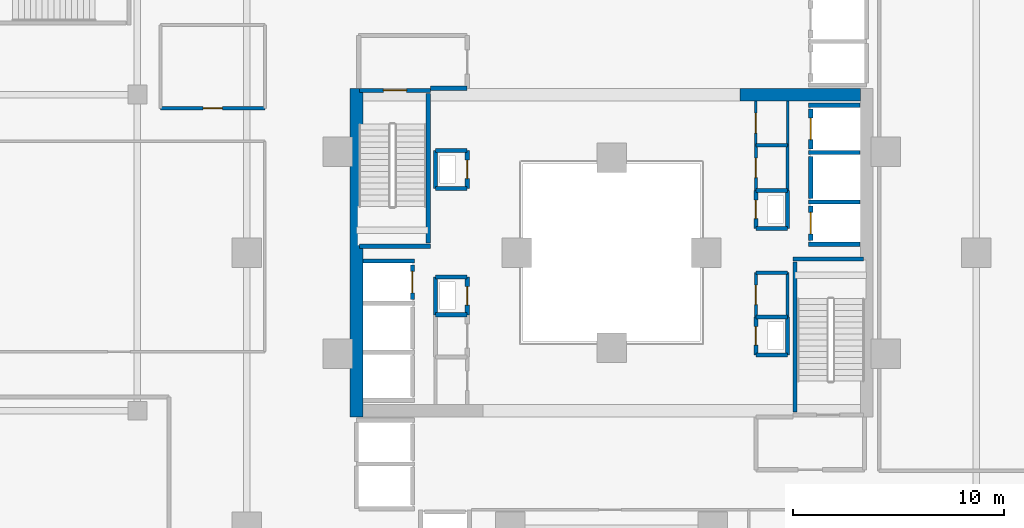
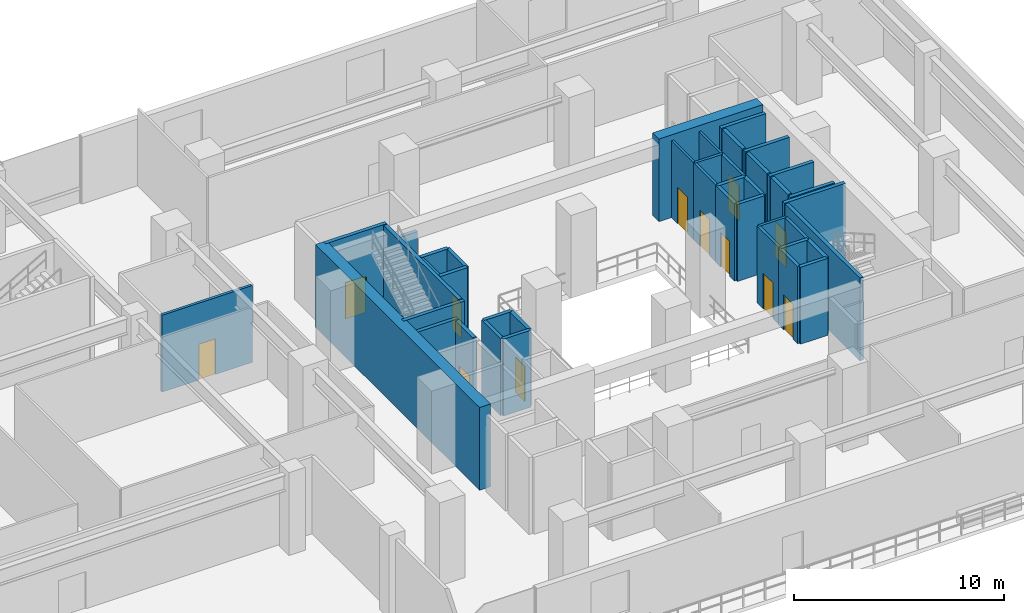
# One storey, part 15 of 22: 42 walls, 12 doors, 12 openings.
"""IFC4 building model written with IfcOpenShell, lengths in metres."""

from ifc_helpers import new_model, si_unit, direction, frame, frame_2d, origin, place, context, subcontext, project, spatial, rectangle, extrude, material, layer, layer_set, type_object, element, fill, save


model = new_model("IFC4")

# Units and contexts
model_context = context("Model", 3, precision=1e-05, world=origin(), true_north=direction((0.0, 1.0)))
body_context = subcontext(model_context, "Body", "Model", "MODEL_VIEW")
ifc_project = project(units=[si_unit("LENGTHUNIT", "METRE"), si_unit("AREAUNIT", "SQUARE_METRE"), si_unit("VOLUMEUNIT", "CUBIC_METRE"), si_unit("PLANEANGLEUNIT", "RADIAN"), si_unit("MASSUNIT", "GRAM", prefix="KILO")], contexts=[model_context])

# Site, building, storey
site_placement = place(None, origin())
site = spatial("IfcSite", under=ifc_project, at=site_placement, CompositionType="ELEMENT")
building_placement = place(site_placement, origin())
building = spatial("IfcBuilding", under=site, at=building_placement, Name="Thornwick Lancets Civic Towers", CompositionType="ELEMENT")
storey_placement = place(building_placement, frame((0.0, 0.0, 4.800048828125)))
storey = spatial("IfcBuildingStorey", under=building, at=storey_placement, Name="L01", CompositionType="ELEMENT", Elevation=4.800048828125)

# Wall, opening, door
ifc_material_1 = material(Name="Concrete blockwork C40/50", Category="masonry")
ifc_layer_1 = layer(ifc_material_1, 0.199951171875, Name="Concrete blockwork C40/50")
ifc_layer_set_1 = layer_set([ifc_layer_1], Name="Concrete blockwork C40/50")
wall_type_1 = type_object("IfcWallType", Name="WALL_COMP_200", PredefinedType="STANDARD", material=ifc_layer_set_1)
wall_1_placement = place(storey_placement, frame((97.949951171875, 29.219970703125, 0.0), z_axis=(0.0, 0.0, 1.0), x_axis=(0.0, -1.0, 0.0)))
wall_1 = element("IfcWall", 1, at=wall_1_placement, inside=storey, type_object=wall_type_1, Name="L01 Hoistway Front Wall FL-B1", PredefinedType="STANDARD", context=body_context, shape_type="SweptSolid", body=[
    extrude(rectangle(XDim=1.639892578125, YDim=0.199951171875, at=frame_2d((0.81982421875, 0.0))), origin(), (0.0, 0.0, 1.0), 4.4599609375),
])
opening_1_placement = place(wall_1_placement, frame((0.31005859375, 0.0, 0.0)))
opening_1 = element("IfcOpeningElement", 2, at=opening_1_placement, cuts=wall_1, Name="Opening LD-FL-B1", PredefinedType="OPENING", context=body_context, shape_type="SweptSolid", body=[
    extrude(rectangle(XDim=1.02001953125, YDim=2.06005859375, at=frame_2d((0.510009765625, 1.030029296875))), frame((0.0, 0.10986328125, 0.0), z_axis=(0.0, -1.0, 0.0), x_axis=(1.0, 0.0, 0.0)), (0.0, 0.0, 1.0), 0.219970703125),
])
ifc_material_2 = material(Name="Brushed bronze stainless steel", Category="steel")
door_type_1 = type_object("IfcDoorType", Name="DOOR_LIFT_SLIDE", OperationType="SLIDING_TO_LEFT", PredefinedType="DOOR", material=ifc_material_2)
door_1_placement = place(opening_1_placement, origin())
door_1 = element("IfcDoor", 3, at=door_1_placement, inside=storey, type_object=door_type_1, Name="L01 Sliding Lift Landing Door LD-FL-B1", OperationType="SLIDING_TO_LEFT", OverallHeight=2.06005859375, OverallWidth=1.02001953125, PredefinedType="DOOR", context=body_context, shape_type="SweptSolid", body=[
    extrude(rectangle(XDim=1.02001953125, YDim=2.06005859375, at=frame_2d((0.510009765625, 1.030029296875))), frame((0.0, 0.02490234375, 0.0), z_axis=(0.0, -1.0, 0.0), x_axis=(1.0, 0.0, 0.0)), (0.0, 0.0, 1.0), 0.050048828125),
])
fill(opening_1, door_1)

# Wall
wall_2_placement = place(storey_placement, frame((97.949951171875, 31.570068359375, 0.0), z_axis=(0.0, 0.0, 1.0), x_axis=(0.0, -1.0, 0.0)))
element("IfcWall", 4, at=wall_2_placement, inside=storey, type_object=wall_type_1, Name="L01 Hoistway Front Wall PL-BH1", PredefinedType="STANDARD", context=body_context, shape_type="SweptSolid", body=[
    extrude(rectangle(XDim=1.989990234375, YDim=0.199951171875, at=frame_2d((0.9951171875, 0.0))), origin(), (0.0, 0.0, 1.0), 4.4599609375),
])

# Wall, opening, door
wall_3_placement = place(storey_placement, frame((97.949951171875, 33.820068359375, 0.0), z_axis=(0.0, 0.0, 1.0), x_axis=(0.0, -1.0, 0.0)))
wall_3 = element("IfcWall", 5, at=wall_3_placement, inside=storey, type_object=wall_type_1, Name="L01 Hoistway Front Wall PL-BL1", PredefinedType="STANDARD", context=body_context, shape_type="SweptSolid", body=[
    extrude(rectangle(XDim=1.89013671875, YDim=0.199951171875, at=frame_2d((0.945068359375, 0.0))), origin(), (0.0, 0.0, 1.0), 4.4599609375),
])
opening_2_placement = place(wall_3_placement, frame((0.43505859375, 0.0, 0.0)))
opening_2 = element("IfcOpeningElement", 6, at=opening_2_placement, cuts=wall_3, Name="Opening LD-PL-BL1", PredefinedType="OPENING", context=body_context, shape_type="SweptSolid", body=[
    extrude(rectangle(XDim=1.02001953125, YDim=2.06005859375, at=frame_2d((0.510009765625, 1.030029296875))), frame((0.0, 0.10986328125, 0.0), z_axis=(0.0, -1.0, 0.0), x_axis=(1.0, 0.0, 0.0)), (0.0, 0.0, 1.0), 0.219970703125),
])
door_2_placement = place(opening_2_placement, origin())
door_2 = element("IfcDoor", 7, at=door_2_placement, inside=storey, type_object=door_type_1, Name="L01 Sliding Lift Landing Door LD-PL-BL1", OperationType="SLIDING_TO_LEFT", OverallHeight=2.06005859375, OverallWidth=1.02001953125, PredefinedType="DOOR", context=body_context, shape_type="SweptSolid", body=[
    extrude(rectangle(XDim=1.02001953125, YDim=2.06005859375, at=frame_2d((0.510009765625, 1.030029296875))), frame((0.0, 0.02490234375, 0.0), z_axis=(0.0, -1.0, 0.0), x_axis=(1.0, 0.0, 0.0)), (0.0, 0.0, 1.0), 0.050048828125),
])
fill(opening_2, door_2)

wall_4_placement = place(storey_placement, frame((79.050048828125, 24.780029296875, 0.0), z_axis=(0.0, 0.0, 1.0), x_axis=(0.0, 1.0, 0.0)))
wall_4 = element("IfcWall", 8, at=wall_4_placement, inside=storey, type_object=wall_type_1, Name="L01 Hoistway Front Wall FL-B2", PredefinedType="STANDARD", context=body_context, shape_type="SweptSolid", body=[
    extrude(rectangle(XDim=1.639892578125, YDim=0.199951171875, at=frame_2d((0.81982421875, 0.0))), origin(), (0.0, 0.0, 1.0), 4.4599609375),
])
opening_3_placement = place(wall_4_placement, frame((0.31005859375, 0.0, 0.0)))
opening_3 = element("IfcOpeningElement", 9, at=opening_3_placement, cuts=wall_4, Name="Opening LD-FL-B2", PredefinedType="OPENING", context=body_context, shape_type="SweptSolid", body=[
    extrude(rectangle(XDim=1.02001953125, YDim=2.06005859375, at=frame_2d((0.510009765625, 1.030029296875))), frame((0.0, 0.10986328125, 0.0), z_axis=(0.0, -1.0, 0.0), x_axis=(1.0, 0.0, 0.0)), (0.0, 0.0, 1.0), 0.219970703125),
])
door_3_placement = place(opening_3_placement, origin())
door_3 = element("IfcDoor", 10, at=door_3_placement, inside=storey, type_object=door_type_1, Name="L01 Sliding Lift Landing Door LD-FL-B2", OperationType="SLIDING_TO_LEFT", OverallHeight=2.06005859375, OverallWidth=1.02001953125, PredefinedType="DOOR", context=body_context, shape_type="SweptSolid", body=[
    extrude(rectangle(XDim=1.02001953125, YDim=2.06005859375, at=frame_2d((0.510009765625, 1.030029296875))), frame((0.0, 0.02490234375, 0.0), z_axis=(0.0, -1.0, 0.0), x_axis=(1.0, 0.0, 0.0)), (0.0, 0.0, 1.0), 0.050048828125),
])
fill(opening_3, door_3)

# Walls
for number, where, z_axis, x_axis, name in (
    (11, (97.85205078125, 29.39990234375, 0.0), (0.0, 0.0, 1.0), (1.0, 0.0, 0.0), "L01 Hoistway Shaft Wall FL-B1 N"),
    (12, (97.85205078125, 27.39990234375, 0.0), (0.0, 0.0, 1.0), (1.0, 0.0, 0.0), "L01 Hoistway Shaft Wall FL-B1 S"),
    (13, (97.85205078125, 31.75, 0.0), (0.0, 0.0, 1.0), (1.0, 0.0, 0.0), "L01 Hoistway Shaft Wall PL-BH1 N"),
    (14, (97.85205078125, 34.0, 0.0), (0.0, 0.0, 1.0), (1.0, 0.0, 0.0), "L01 Hoistway Shaft Wall PL-BL1 N"),
    (15, (76.7119140625, 26.60009765625, 0.0), (0.0, 0.0, 1.0), (1.0, 0.0, 0.0), "L01 Hoistway Shaft Wall FL-B2 N"),
):
    element("IfcWall", number, at=place(storey_placement, frame(where, z_axis=z_axis, x_axis=x_axis)), inside=storey, type_object=wall_type_1, Name=name, PredefinedType="STANDARD", context=body_context, shape_type="SweptSolid", body=[
        extrude(rectangle(XDim=2.43603515625, YDim=0.199951171875, at=frame_2d((1.218017578125, 0.0))), origin(), (0.0, 0.0, 1.0), 4.4599609375),
    ])
wall_5_placement = place(storey_placement, frame((79.89990234375, 34.800048828125, 0.0), z_axis=(0.0, 0.0, 1.0), x_axis=(1.0, 0.0, 0.0)))
element("IfcWall", 16, at=wall_5_placement, inside=storey, type_object=wall_type_1, Name="L01 Partition L01-B-FFLOB2 E1", PredefinedType="STANDARD", context=body_context, shape_type="SweptSolid", body=[
    extrude(rectangle(XDim=1.75, YDim=0.199951171875, at=frame_2d((0.875, 0.0))), origin(), (0.0, 0.0, 1.0), 3.6650390625),
])
wall_6_placement = place(storey_placement, frame((95.35009765625, 28.14990234375, 0.0), z_axis=(0.0, 0.0, 1.0), x_axis=(1.0, 0.0, 0.0)))
element("IfcWall", 17, at=wall_6_placement, inside=storey, type_object=wall_type_1, Name="L01 Partition L01-B-DUCT1 E1", PredefinedType="STANDARD", context=body_context, shape_type="SweptSolid", body=[
    extrude(rectangle(XDim=1.5, YDim=0.199951171875, at=frame_2d((0.75, 0.0))), origin(), (0.0, 0.0, 1.0), 4.4599609375),
])
wall_7_placement = place(storey_placement, frame((96.85009765625, 28.14990234375, 0.0), z_axis=(0.0, 0.0, 1.0), x_axis=(0.0, 1.0, 0.0)))
element("IfcWall", 18, at=wall_7_placement, inside=storey, type_object=wall_type_1, Name="L01 Partition L01-B-DUCT1 E2", PredefinedType="STANDARD", context=body_context, shape_type="SweptSolid", body=[
    extrude(rectangle(XDim=1.800048828125, YDim=0.199951171875, at=frame_2d((0.89990234375, 0.0))), origin(), (0.0, 0.0, 1.0), 4.4599609375),
])
wall_8_placement = place(storey_placement, frame((96.85009765625, 29.949951171875, 0.0), z_axis=(0.0, 0.0, 1.0), x_axis=(-1.0, 0.0, 0.0)))
element("IfcWall", 19, at=wall_8_placement, inside=storey, type_object=wall_type_1, Name="L01 Partition L01-B-DUCT1 E3", PredefinedType="STANDARD", context=body_context, shape_type="SweptSolid", body=[
    extrude(rectangle(XDim=1.5, YDim=0.199951171875, at=frame_2d((0.75, 0.0))), origin(), (0.0, 0.0, 1.0), 4.4599609375),
])

# Wall, opening, door
wall_9_placement = place(storey_placement, frame((95.35009765625, 29.949951171875, 0.0), z_axis=(0.0, 0.0, 1.0), x_axis=(0.0, -1.0, 0.0)))
wall_9 = element("IfcWall", 20, at=wall_9_placement, inside=storey, type_object=wall_type_1, Name="L01 Partition L01-B-DUCT1 E4", PredefinedType="STANDARD", context=body_context, shape_type="SweptSolid", body=[
    extrude(rectangle(XDim=1.800048828125, YDim=0.199951171875, at=frame_2d((0.89990234375, 0.0))), origin(), (0.0, 0.0, 1.0), 4.4599609375),
])
opening_4_placement = place(wall_9_placement, frame((0.4599609375, 0.0, 0.0)))
opening_4 = element("IfcOpeningElement", 21, at=opening_4_placement, cuts=wall_9, Name="Opening D-L01-0107", PredefinedType="OPENING", context=body_context, shape_type="SweptSolid", body=[
    extrude(rectangle(XDim=0.8798828125, YDim=2.0400390625, at=frame_2d((0.43994140625, 1.02001953125))), frame((0.0, 0.10986328125, 0.0), z_axis=(0.0, -1.0, 0.0), x_axis=(1.0, 0.0, 0.0)), (0.0, 0.0, 1.0), 0.219970703125),
])
ifc_material_3 = material(Name="Steel riser access doorset", Category="steel")
door_type_2 = type_object("IfcDoorType", Name="DOOR_RISER_850", OperationType="NOTDEFINED", PredefinedType="DOOR", material=ifc_material_3)
door_4_placement = place(opening_4_placement, origin())
door_4 = element("IfcDoor", 22, at=door_4_placement, inside=storey, type_object=door_type_2, Name="L01 East Service Duct 1 Door", OperationType="SINGLE_SWING_RIGHT", OverallHeight=2.0400390625, OverallWidth=0.8798828125, PredefinedType="DOOR", context=body_context, shape_type="SweptSolid", body=[
    extrude(rectangle(XDim=0.8798828125, YDim=2.0400390625, at=frame_2d((0.43994140625, 1.02001953125))), frame((0.0, 0.02490234375, 0.0), z_axis=(0.0, -1.0, 0.0), x_axis=(1.0, 0.0, 0.0)), (0.0, 0.0, 1.0), 0.050048828125),
])
fill(opening_4, door_4)

# Walls
wall_10_placement = place(storey_placement, frame((95.35009765625, 22.14990234375, 0.0), z_axis=(0.0, 0.0, 1.0), x_axis=(1.0, 0.0, 0.0)))
element("IfcWall", 23, at=wall_10_placement, inside=storey, type_object=wall_type_1, Name="L01 Partition L01-B-RISER1 E1", PredefinedType="STANDARD", context=body_context, shape_type="SweptSolid", body=[
    extrude(rectangle(XDim=1.5, YDim=0.199951171875, at=frame_2d((0.75, 0.0))), origin(), (0.0, 0.0, 1.0), 4.4599609375),
])
wall_11_placement = place(storey_placement, frame((96.85009765625, 22.14990234375, 0.0), z_axis=(0.0, 0.0, 1.0), x_axis=(0.0, 1.0, 0.0)))
element("IfcWall", 24, at=wall_11_placement, inside=storey, type_object=wall_type_1, Name="L01 Partition L01-B-RISER1 E2", PredefinedType="STANDARD", context=body_context, shape_type="SweptSolid", body=[
    extrude(rectangle(XDim=1.800048828125, YDim=0.199951171875, at=frame_2d((0.89990234375, 0.0))), origin(), (0.0, 0.0, 1.0), 4.4599609375),
])
wall_12_placement = place(storey_placement, frame((96.85009765625, 23.949951171875, 0.0), z_axis=(0.0, 0.0, 1.0), x_axis=(-1.0, 0.0, 0.0)))
element("IfcWall", 25, at=wall_12_placement, inside=storey, type_object=wall_type_1, Name="L01 Partition L01-B-RISER1 E3", PredefinedType="STANDARD", context=body_context, shape_type="SweptSolid", body=[
    extrude(rectangle(XDim=1.5, YDim=0.199951171875, at=frame_2d((0.75, 0.0))), origin(), (0.0, 0.0, 1.0), 4.4599609375),
])

# Wall, opening, door
wall_13_placement = place(storey_placement, frame((95.35009765625, 23.949951171875, 0.0), z_axis=(0.0, 0.0, 1.0), x_axis=(0.0, -1.0, 0.0)))
wall_13 = element("IfcWall", 26, at=wall_13_placement, inside=storey, type_object=wall_type_1, Name="L01 Partition L01-B-RISER1 E4", PredefinedType="STANDARD", context=body_context, shape_type="SweptSolid", body=[
    extrude(rectangle(XDim=1.800048828125, YDim=0.199951171875, at=frame_2d((0.89990234375, 0.0))), origin(), (0.0, 0.0, 1.0), 4.4599609375),
])
opening_5_placement = place(wall_13_placement, frame((0.4599609375, 0.0, 0.0)))
opening_5 = element("IfcOpeningElement", 27, at=opening_5_placement, cuts=wall_13, Name="Opening D-L01-0108", PredefinedType="OPENING", context=body_context, shape_type="SweptSolid", body=[
    extrude(rectangle(XDim=0.8798828125, YDim=2.0400390625, at=frame_2d((0.43994140625, 1.02001953125))), frame((0.0, 0.10986328125, 0.0), z_axis=(0.0, -1.0, 0.0), x_axis=(1.0, 0.0, 0.0)), (0.0, 0.0, 1.0), 0.219970703125),
])
door_5_placement = place(opening_5_placement, origin())
door_5 = element("IfcDoor", 28, at=door_5_placement, inside=storey, type_object=door_type_2, Name="L01 East Electrical Riser 1 Door", OperationType="SINGLE_SWING_LEFT", OverallHeight=2.0400390625, OverallWidth=0.8798828125, PredefinedType="DOOR", context=body_context, shape_type="SweptSolid", body=[
    extrude(rectangle(XDim=0.8798828125, YDim=2.0400390625, at=frame_2d((0.43994140625, 1.02001953125))), frame((0.0, 0.02490234375, 0.0), z_axis=(0.0, -1.0, 0.0), x_axis=(1.0, 0.0, 0.0)), (0.0, 0.0, 1.0), 0.050048828125),
])
fill(opening_5, door_5)

# Wall
wall_14_placement = place(storey_placement, frame((80.14990234375, 24.050048828125, 0.0), z_axis=(0.0, 0.0, 1.0), x_axis=(1.0, 0.0, 0.0)))
element("IfcWall", 29, at=wall_14_placement, inside=storey, type_object=wall_type_1, Name="L01 Partition L01-B-DUCT2 E1", PredefinedType="STANDARD", context=body_context, shape_type="SweptSolid", body=[
    extrude(rectangle(XDim=1.5, YDim=0.199951171875, at=frame_2d((0.75, 0.0))), origin(), (0.0, 0.0, 1.0), 4.4599609375),
])

# Wall, opening, door
wall_15_placement = place(storey_placement, frame((81.64990234375, 24.050048828125, 0.0), z_axis=(0.0, 0.0, 1.0), x_axis=(0.0, 1.0, 0.0)))
wall_15 = element("IfcWall", 30, at=wall_15_placement, inside=storey, type_object=wall_type_1, Name="L01 Partition L01-B-DUCT2 E2", PredefinedType="STANDARD", context=body_context, shape_type="SweptSolid", body=[
    extrude(rectangle(XDim=1.800048828125, YDim=0.199951171875, at=frame_2d((0.89990234375, 0.0))), origin(), (0.0, 0.0, 1.0), 4.4599609375),
])
opening_6_placement = place(wall_15_placement, frame((0.4599609375, 0.0, 0.0)))
opening_6 = element("IfcOpeningElement", 31, at=opening_6_placement, cuts=wall_15, Name="Opening D-L01-0109", PredefinedType="OPENING", context=body_context, shape_type="SweptSolid", body=[
    extrude(rectangle(XDim=0.8798828125, YDim=2.0400390625, at=frame_2d((0.43994140625, 1.02001953125))), frame((0.0, 0.10986328125, 0.0), z_axis=(0.0, -1.0, 0.0), x_axis=(1.0, 0.0, 0.0)), (0.0, 0.0, 1.0), 0.219970703125),
])
door_6_placement = place(opening_6_placement, origin())
door_6 = element("IfcDoor", 32, at=door_6_placement, inside=storey, type_object=door_type_2, Name="L01 West Service Duct 2 Door", OperationType="SINGLE_SWING_RIGHT", OverallHeight=2.0400390625, OverallWidth=0.8798828125, PredefinedType="DOOR", context=body_context, shape_type="SweptSolid", body=[
    extrude(rectangle(XDim=0.8798828125, YDim=2.0400390625, at=frame_2d((0.43994140625, 1.02001953125))), frame((0.0, 0.02490234375, 0.0), z_axis=(0.0, -1.0, 0.0), x_axis=(1.0, 0.0, 0.0)), (0.0, 0.0, 1.0), 0.050048828125),
])
fill(opening_6, door_6)

# Walls
wall_16_placement = place(storey_placement, frame((81.64990234375, 25.85009765625, 0.0), z_axis=(0.0, 0.0, 1.0), x_axis=(-1.0, 0.0, 0.0)))
element("IfcWall", 33, at=wall_16_placement, inside=storey, type_object=wall_type_1, Name="L01 Partition L01-B-DUCT2 E3", PredefinedType="STANDARD", context=body_context, shape_type="SweptSolid", body=[
    extrude(rectangle(XDim=1.5, YDim=0.199951171875, at=frame_2d((0.75, 0.0))), origin(), (0.0, 0.0, 1.0), 4.4599609375),
])
wall_17_placement = place(storey_placement, frame((80.14990234375, 25.85009765625, 0.0), z_axis=(0.0, 0.0, 1.0), x_axis=(0.0, -1.0, 0.0)))
element("IfcWall", 34, at=wall_17_placement, inside=storey, type_object=wall_type_1, Name="L01 Partition L01-B-DUCT2 E4", PredefinedType="STANDARD", context=body_context, shape_type="SweptSolid", body=[
    extrude(rectangle(XDim=1.800048828125, YDim=0.199951171875, at=frame_2d((0.89990234375, 0.0))), origin(), (0.0, 0.0, 1.0), 4.4599609375),
])
wall_18_placement = place(storey_placement, frame((80.14990234375, 30.050048828125, 0.0), z_axis=(0.0, 0.0, 1.0), x_axis=(1.0, 0.0, 0.0)))
element("IfcWall", 35, at=wall_18_placement, inside=storey, type_object=wall_type_1, Name="L01 Partition L01-B-RISER2 E1", PredefinedType="STANDARD", context=body_context, shape_type="SweptSolid", body=[
    extrude(rectangle(XDim=1.5, YDim=0.199951171875, at=frame_2d((0.75, 0.0))), origin(), (0.0, 0.0, 1.0), 4.4599609375),
])

# Wall, opening, door
wall_19_placement = place(storey_placement, frame((81.64990234375, 30.050048828125, 0.0), z_axis=(0.0, 0.0, 1.0), x_axis=(0.0, 1.0, 0.0)))
wall_19 = element("IfcWall", 36, at=wall_19_placement, inside=storey, type_object=wall_type_1, Name="L01 Partition L01-B-RISER2 E2", PredefinedType="STANDARD", context=body_context, shape_type="SweptSolid", body=[
    extrude(rectangle(XDim=1.800048828125, YDim=0.199951171875, at=frame_2d((0.89990234375, 0.0))), origin(), (0.0, 0.0, 1.0), 4.4599609375),
])
opening_7_placement = place(wall_19_placement, frame((0.4599609375, 0.0, 0.0)))
opening_7 = element("IfcOpeningElement", 37, at=opening_7_placement, cuts=wall_19, Name="Opening D-L01-0110", PredefinedType="OPENING", context=body_context, shape_type="SweptSolid", body=[
    extrude(rectangle(XDim=0.8798828125, YDim=2.0400390625, at=frame_2d((0.43994140625, 1.02001953125))), frame((0.0, 0.10986328125, 0.0), z_axis=(0.0, -1.0, 0.0), x_axis=(1.0, 0.0, 0.0)), (0.0, 0.0, 1.0), 0.219970703125),
])
door_7_placement = place(opening_7_placement, origin())
door_7 = element("IfcDoor", 38, at=door_7_placement, inside=storey, type_object=door_type_2, Name="L01 West Service Riser 2 Door", OperationType="SINGLE_SWING_LEFT", OverallHeight=2.0400390625, OverallWidth=0.8798828125, PredefinedType="DOOR", context=body_context, shape_type="SweptSolid", body=[
    extrude(rectangle(XDim=0.8798828125, YDim=2.0400390625, at=frame_2d((0.43994140625, 1.02001953125))), frame((0.0, 0.02490234375, 0.0), z_axis=(0.0, -1.0, 0.0), x_axis=(1.0, 0.0, 0.0)), (0.0, 0.0, 1.0), 0.050048828125),
])
fill(opening_7, door_7)

# Walls
wall_20_placement = place(storey_placement, frame((81.64990234375, 31.85009765625, 0.0), z_axis=(0.0, 0.0, 1.0), x_axis=(-1.0, 0.0, 0.0)))
element("IfcWall", 39, at=wall_20_placement, inside=storey, type_object=wall_type_1, Name="L01 Partition L01-B-RISER2 E3", PredefinedType="STANDARD", context=body_context, shape_type="SweptSolid", body=[
    extrude(rectangle(XDim=1.5, YDim=0.199951171875, at=frame_2d((0.75, 0.0))), origin(), (0.0, 0.0, 1.0), 4.4599609375),
])
wall_21_placement = place(storey_placement, frame((80.14990234375, 31.85009765625, 0.0), z_axis=(0.0, 0.0, 1.0), x_axis=(0.0, -1.0, 0.0)))
element("IfcWall", 40, at=wall_21_placement, inside=storey, type_object=wall_type_1, Name="L01 Partition L01-B-RISER2 E4", PredefinedType="STANDARD", context=body_context, shape_type="SweptSolid", body=[
    extrude(rectangle(XDim=1.800048828125, YDim=0.199951171875, at=frame_2d((0.89990234375, 0.0))), origin(), (0.0, 0.0, 1.0), 4.4599609375),
])
ifc_material_4 = material(Name="Concrete C60/75", Category="concrete")
ifc_layer_2 = layer(ifc_material_4, 0.60009765625, Name="Concrete C60/75")
ifc_layer_set_2 = layer_set([ifc_layer_2], Name="Concrete C60/75")
wall_type_2 = type_object("IfcWallType", Name="WALL_CORE_600", PredefinedType="SHEAR", material=ifc_layer_set_2)
wall_22_placement = place(storey_placement, frame((94.60009765625, 34.5, 0.0), z_axis=(0.0, 0.0, 1.0), x_axis=(1.0, 0.0, 0.0)))
element("IfcWall", 41, at=wall_22_placement, inside=storey, type_object=wall_type_2, Name="L01 Split Core B1 Shear Wall N", PredefinedType="SHEAR", context=body_context, shape_type="SweptSolid", body=[
    extrude(rectangle(XDim=5.699951171875, YDim=0.60009765625, at=frame_2d((2.85009765625, 0.0))), origin(), (0.0, 0.0, 1.0), 4.800048828125),
])
wall_23_placement = place(storey_placement, frame((76.39990234375, 19.199951171875, 0.0), z_axis=(0.0, 0.0, 1.0), x_axis=(0.0, 1.0, 0.0)))
element("IfcWall", 42, at=wall_23_placement, inside=storey, type_object=wall_type_2, Name="L01 Split Core B2 Shear Wall W", PredefinedType="SHEAR", context=body_context, shape_type="SweptSolid", body=[
    extrude(rectangle(XDim=15.60009765625, YDim=0.60009765625, at=frame_2d((7.800048828125, 0.0))), origin(), (0.0, 0.0, 1.0), 4.800048828125),
])

# Wall, opening, door
ifc_material_5 = material(Name="Acoustic gypsum board partition")
ifc_layer_3 = layer(ifc_material_5, 0.1201171875, Name="Acoustic gypsum board partition")
ifc_layer_set_3 = layer_set([ifc_layer_3], Name="Acoustic gypsum board partition")
wall_type_3 = type_object("IfcWallType", Name="WALL_PART_120", PredefinedType="PARTITIONING", material=ifc_layer_set_3)
wall_24_placement = place(storey_placement, frame((95.35009765625, 32.10009765625, 0.0), z_axis=(0.0, 0.0, 1.0), x_axis=(0.0, 1.0, 0.0)))
wall_24 = element("IfcWall", 43, at=wall_24_placement, inside=storey, type_object=wall_type_3, Name="L01 Partition L01-B-ITR E1", PredefinedType="PARTITIONING", context=body_context, shape_type="SweptSolid", body=[
    extrude(rectangle(XDim=2.099853515625, YDim=0.1201171875, at=frame_2d((1.0498046875, 0.0))), origin(), (0.0, 0.0, 1.0), 4.4599609375),
])
opening_8_placement = place(wall_24_placement, frame((0.574951171875, 0.0, 0.0)))
opening_8 = element("IfcOpeningElement", 44, at=opening_8_placement, cuts=wall_24, Name="Opening D-L01-0113", PredefinedType="OPENING", context=body_context, shape_type="SweptSolid", body=[
    extrude(rectangle(XDim=0.949951171875, YDim=2.10009765625, at=frame_2d((0.47509765625, 1.050048828125))), frame((0.0, 0.070068359375, 0.0), z_axis=(0.0, -1.0, 0.0), x_axis=(1.0, 0.0, 0.0)), (0.0, 0.0, 1.0), 0.14013671875),
])
ifc_material_6 = material(Name="European oak acoustic doorset")
door_type_3 = type_object("IfcDoorType", Name="DOOR_OFFICE_950", OperationType="NOTDEFINED", PredefinedType="DOOR", material=ifc_material_6)
door_8_placement = place(opening_8_placement, origin())
door_8 = element("IfcDoor", 45, at=door_8_placement, inside=storey, type_object=door_type_3, Name="L01 Tower B Comms Patch Room Door", OperationType="SINGLE_SWING_RIGHT", OverallHeight=2.10009765625, OverallWidth=0.949951171875, PredefinedType="DOOR", context=body_context, shape_type="SweptSolid", body=[
    extrude(rectangle(XDim=0.949951171875, YDim=2.10009765625, at=frame_2d((0.47509765625, 1.050048828125))), frame((0.0, 0.02490234375, 0.0), z_axis=(0.0, -1.0, 0.0), x_axis=(1.0, 0.0, 0.0)), (0.0, 0.0, 1.0), 0.050048828125),
])
fill(opening_8, door_8)

# Wall
wall_25_placement = place(storey_placement, frame((96.85009765625, 34.199951171875, 0.0), z_axis=(0.0, 0.0, 1.0), x_axis=(0.0, -1.0, 0.0)))
element("IfcWall", 46, at=wall_25_placement, inside=storey, type_object=wall_type_3, Name="L01 Partition L01-B-ITR E3", PredefinedType="PARTITIONING", context=body_context, shape_type="SweptSolid", body=[
    extrude(rectangle(XDim=2.099853515625, YDim=0.1201171875, at=frame_2d((1.0498046875, 0.0))), origin(), (0.0, 0.0, 1.0), 4.4599609375),
])

# Wall, opening, door
ifc_material_7 = material(Name="Twin-stud acoustic gypsum board")
ifc_layer_4 = layer(ifc_material_7, 0.14990234375, Name="Twin-stud acoustic gypsum board")
ifc_layer_set_4 = layer_set([ifc_layer_4], Name="Twin-stud acoustic gypsum board")
wall_type_4 = type_object("IfcWallType", Name="WALL_PART_150", PredefinedType="PARTITIONING", material=ifc_layer_set_4)
wall_26_placement = place(storey_placement, frame((95.35009765625, 23.949951171875, 0.0), z_axis=(0.0, 0.0, 1.0), x_axis=(0.0, 1.0, 0.0)))
wall_26 = element("IfcWall", 47, at=wall_26_placement, inside=storey, type_object=wall_type_4, Name="L01 Partition L01-B-MWC E1", PredefinedType="PARTITIONING", context=body_context, shape_type="SweptSolid", body=[
    extrude(rectangle(XDim=2.10009765625, YDim=0.14990234375, at=frame_2d((1.050048828125, 0.0))), origin(), (0.0, 0.0, 1.0), 4.4599609375),
])
opening_9_placement = place(wall_26_placement, frame((0.590087890625, 0.0, 0.0)))
opening_9 = element("IfcOpeningElement", 48, at=opening_9_placement, cuts=wall_26, Name="Opening D-L01-0111", PredefinedType="OPENING", context=body_context, shape_type="SweptSolid", body=[
    extrude(rectangle(XDim=0.919921875, YDim=2.080078125, at=frame_2d((0.4599609375, 1.0400390625))), frame((0.0, 0.0849609375, 0.0), z_axis=(0.0, -1.0, 0.0), x_axis=(1.0, 0.0, 0.0)), (0.0, 0.0, 1.0), 0.169921875),
])
ifc_material_8 = material(Name="Moisture-resistant oak doorset")
door_type_4 = type_object("IfcDoorType", Name="DOOR_WC_900", OperationType="NOTDEFINED", PredefinedType="DOOR", material=ifc_material_8)
door_9_placement = place(opening_9_placement, origin())
door_9 = element("IfcDoor", 49, at=door_9_placement, inside=storey, type_object=door_type_4, Name="L01 Tower B Male WC Door", OperationType="SINGLE_SWING_RIGHT", OverallHeight=2.080078125, OverallWidth=0.919921875, PredefinedType="DOOR", context=body_context, shape_type="SweptSolid", body=[
    extrude(rectangle(XDim=0.919921875, YDim=2.080078125, at=frame_2d((0.4599609375, 1.0400390625))), frame((0.0, 0.02490234375, 0.0), z_axis=(0.0, -1.0, 0.0), x_axis=(1.0, 0.0, 0.0)), (0.0, 0.0, 1.0), 0.050048828125),
])
fill(opening_9, door_9)

# Walls
wall_27_placement = place(storey_placement, frame((95.35009765625, 26.050048828125, 0.0), z_axis=(0.0, 0.0, 1.0), x_axis=(1.0, 0.0, 0.0)))
element("IfcWall", 50, at=wall_27_placement, inside=storey, type_object=wall_type_4, Name="L01 Partition L01-B-MWC E2", PredefinedType="PARTITIONING", context=body_context, shape_type="SweptSolid", body=[
    extrude(rectangle(XDim=1.5, YDim=0.14990234375, at=frame_2d((0.75, 0.0))), origin(), (0.0, 0.0, 1.0), 4.4599609375),
])
wall_28_placement = place(storey_placement, frame((96.85009765625, 26.050048828125, 0.0), z_axis=(0.0, 0.0, 1.0), x_axis=(0.0, -1.0, 0.0)))
element("IfcWall", 51, at=wall_28_placement, inside=storey, type_object=wall_type_4, Name="L01 Partition L01-B-MWC E3", PredefinedType="PARTITIONING", context=body_context, shape_type="SweptSolid", body=[
    extrude(rectangle(XDim=2.10009765625, YDim=0.14990234375, at=frame_2d((1.050048828125, 0.0))), origin(), (0.0, 0.0, 1.0), 4.4599609375),
])

# Wall, opening, door
wall_29_placement = place(storey_placement, frame((95.35009765625, 29.949951171875, 0.0), z_axis=(0.0, 0.0, 1.0), x_axis=(0.0, 1.0, 0.0)))
wall_29 = element("IfcWall", 52, at=wall_29_placement, inside=storey, type_object=wall_type_4, Name="L01 Partition L01-B-FWC E1", PredefinedType="PARTITIONING", context=body_context, shape_type="SweptSolid", body=[
    extrude(rectangle(XDim=2.150146484375, YDim=0.14990234375, at=frame_2d((1.0751953125, 0.0))), origin(), (0.0, 0.0, 1.0), 4.4599609375),
])
opening_10_placement = place(wall_29_placement, frame((0.614990234375, 0.0, 0.0)))
opening_10 = element("IfcOpeningElement", 53, at=opening_10_placement, cuts=wall_29, Name="Opening D-L01-0112", PredefinedType="OPENING", context=body_context, shape_type="SweptSolid", body=[
    extrude(rectangle(XDim=0.919921875, YDim=2.080078125, at=frame_2d((0.4599609375, 1.0400390625))), frame((0.0, 0.0849609375, 0.0), z_axis=(0.0, -1.0, 0.0), x_axis=(1.0, 0.0, 0.0)), (0.0, 0.0, 1.0), 0.169921875),
])
door_10_placement = place(opening_10_placement, origin())
door_10 = element("IfcDoor", 54, at=door_10_placement, inside=storey, type_object=door_type_4, Name="L01 Tower B Female WC Door", OperationType="SINGLE_SWING_LEFT", OverallHeight=2.080078125, OverallWidth=0.919921875, PredefinedType="DOOR", context=body_context, shape_type="SweptSolid", body=[
    extrude(rectangle(XDim=0.919921875, YDim=2.080078125, at=frame_2d((0.4599609375, 1.0400390625))), frame((0.0, 0.02490234375, 0.0), z_axis=(0.0, -1.0, 0.0), x_axis=(1.0, 0.0, 0.0)), (0.0, 0.0, 1.0), 0.050048828125),
])
fill(opening_10, door_10)

# Walls
wall_30_placement = place(storey_placement, frame((95.35009765625, 32.10009765625, 0.0), z_axis=(0.0, 0.0, 1.0), x_axis=(1.0, 0.0, 0.0)))
element("IfcWall", 55, at=wall_30_placement, inside=storey, type_object=wall_type_4, Name="L01 Partition L01-B-FWC E2", PredefinedType="PARTITIONING", context=body_context, shape_type="SweptSolid", body=[
    extrude(rectangle(XDim=1.5, YDim=0.14990234375, at=frame_2d((0.75, 0.0))), origin(), (0.0, 0.0, 1.0), 4.4599609375),
])
wall_31_placement = place(storey_placement, frame((96.85009765625, 32.10009765625, 0.0), z_axis=(0.0, 0.0, 1.0), x_axis=(0.0, -1.0, 0.0)))
element("IfcWall", 56, at=wall_31_placement, inside=storey, type_object=wall_type_4, Name="L01 Partition L01-B-FWC E3", PredefinedType="PARTITIONING", context=body_context, shape_type="SweptSolid", body=[
    extrude(rectangle(XDim=2.150146484375, YDim=0.14990234375, at=frame_2d((1.0751953125, 0.0))), origin(), (0.0, 0.0, 1.0), 4.4599609375),
])

# Wall, opening, door
wall_32_placement = place(storey_placement, frame((67.10009765625, 33.85009765625, 0.0), z_axis=(0.0, 0.0, 1.0), x_axis=(1.0, 0.0, 0.0)))
wall_32 = element("IfcWall", 57, at=wall_32_placement, inside=storey, type_object=wall_type_4, Name="L01 Partition L01-POD-FWC E1", PredefinedType="PARTITIONING", context=body_context, shape_type="SweptSolid", body=[
    extrude(rectangle(XDim=4.949951171875, YDim=0.14990234375, at=frame_2d((2.47509765625, 0.0))), origin(), (0.0, 0.0, 1.0), 4.4599609375),
])
opening_11_placement = place(wall_32_placement, frame((2.014892578125, 0.0, 0.0)))
opening_11 = element("IfcOpeningElement", 58, at=opening_11_placement, cuts=wall_32, Name="Opening D-L01-0117", PredefinedType="OPENING", context=body_context, shape_type="SweptSolid", body=[
    extrude(rectangle(XDim=0.919921875, YDim=2.080078125, at=frame_2d((0.4599609375, 1.0400390625))), frame((0.0, 0.0849609375, 0.0), z_axis=(0.0, -1.0, 0.0), x_axis=(1.0, 0.0, 0.0)), (0.0, 0.0, 1.0), 0.169921875),
])
door_11_placement = place(opening_11_placement, origin())
door_11 = element("IfcDoor", 59, at=door_11_placement, inside=storey, type_object=door_type_4, Name="L01 Podium Public Female WC Door", OperationType="SINGLE_SWING_RIGHT", OverallHeight=2.080078125, OverallWidth=0.919921875, PredefinedType="DOOR", context=body_context, shape_type="SweptSolid", body=[
    extrude(rectangle(XDim=0.919921875, YDim=2.080078125, at=frame_2d((0.4599609375, 1.0400390625))), frame((0.0, 0.02490234375, 0.0), z_axis=(0.0, -1.0, 0.0), x_axis=(1.0, 0.0, 0.0)), (0.0, 0.0, 1.0), 0.050048828125),
])
fill(opening_11, door_11)

# Walls
ifc_material_9 = material(Name="Concrete C40/50", Category="concrete")
ifc_layer_5 = layer(ifc_material_9, 0.199951171875, Name="Concrete C40/50")
ifc_layer_set_5 = layer_set([ifc_layer_5], Name="Concrete C40/50")
wall_type_5 = type_object("IfcWallType", Name="WALL_SHAFT_200", PredefinedType="SHEAR", material=ifc_layer_set_5)
wall_33_placement = place(storey_placement, frame((97.10009765625, 26.699951171875, 0.0), z_axis=(0.0, 0.0, 1.0), x_axis=(1.0, 0.0, 0.0)))
element("IfcWall", 60, at=wall_33_placement, inside=storey, type_object=wall_type_5, Name="L01 ST-B1 Fire Stair Core Wall FAR", PredefinedType="SHEAR", context=body_context, shape_type="SweptSolid", body=[
    extrude(rectangle(XDim=3.349853515625, YDim=0.199951171875, at=frame_2d((1.6748046875, 0.0))), origin(), (0.0, 0.0, 1.0), 4.800048828125),
])
wall_34_placement = place(storey_placement, frame((97.202880859375, 26.550048828125, 0.0), z_axis=(0.0, 0.0, 1.0), x_axis=(0.0, -1.0, 0.0)))
element("IfcWall", 61, at=wall_34_placement, inside=storey, type_object=wall_type_5, Name="L01 ST-B1 Fire Stair Core Wall RIGHT", PredefinedType="SHEAR", context=body_context, shape_type="SweptSolid", body=[
    extrude(rectangle(XDim=7.10009765625, YDim=0.199951171875, at=frame_2d((3.550048828125, 0.0))), origin(), (0.0, 0.0, 1.0), 4.800048828125),
])

# Wall, opening, door
wall_35_placement = place(storey_placement, frame((76.550048828125, 34.699951171875, 0.0), z_axis=(0.0, 0.0, 1.0), x_axis=(1.0, 0.0, 0.0)))
wall_35 = element("IfcWall", 62, at=wall_35_placement, inside=storey, type_object=wall_type_5, Name="L01 ST-B2 Fire Stair Core Wall NEAR", PredefinedType="SHEAR", context=body_context, shape_type="SweptSolid", body=[
    extrude(rectangle(XDim=3.349853515625, YDim=0.199951171875, at=frame_2d((1.6748046875, 0.0))), origin(), (0.0, 0.0, 1.0), 4.800048828125),
])
opening_12_placement = place(wall_35_placement, frame((1.125, 0.0, 0.0)))
opening_12 = element("IfcOpeningElement", 63, at=opening_12_placement, cuts=wall_35, Name="Opening D-ST-B2-L01", PredefinedType="OPENING", context=body_context, shape_type="SweptSolid", body=[
    extrude(rectangle(XDim=1.10009765625, YDim=2.10009765625, at=frame_2d((0.550048828125, 1.050048828125))), frame((0.0, 0.10986328125, 0.0), z_axis=(0.0, -1.0, 0.0), x_axis=(1.0, 0.0, 0.0)), (0.0, 0.0, 1.0), 0.219970703125),
])
ifc_material_10 = material(Name="Fire-resisting steel and hardwood", Category="steel")
door_type_5 = type_object("IfcDoorType", Name="DOOR_STAIR_FD60", OperationType="NOTDEFINED", PredefinedType="DOOR", material=ifc_material_10)
door_12_placement = place(opening_12_placement, origin())
door_12 = element("IfcDoor", 64, at=door_12_placement, inside=storey, type_object=door_type_5, Name="L01 ST-B2 Exit Stair Door", OperationType="SINGLE_SWING_RIGHT", OverallHeight=2.10009765625, OverallWidth=1.10009765625, PredefinedType="DOOR", context=body_context, shape_type="SweptSolid", body=[
    extrude(rectangle(XDim=1.10009765625, YDim=2.10009765625, at=frame_2d((0.550048828125, 1.050048828125))), frame((0.0, 0.02490234375, 0.0), z_axis=(0.0, -1.0, 0.0), x_axis=(1.0, 0.0, 0.0)), (0.0, 0.0, 1.0), 0.050048828125),
])
fill(opening_12, door_12)

# Walls
wall_36_placement = place(storey_placement, frame((79.89990234375, 27.300048828125, 0.0), z_axis=(0.0, 0.0, 1.0), x_axis=(-1.0, 0.0, 0.0)))
element("IfcWall", 65, at=wall_36_placement, inside=storey, type_object=wall_type_5, Name="L01 ST-B2 Fire Stair Core Wall FAR", PredefinedType="SHEAR", context=body_context, shape_type="SweptSolid", body=[
    extrude(rectangle(XDim=3.349853515625, YDim=0.199951171875, at=frame_2d((1.6748046875, 0.0))), origin(), (0.0, 0.0, 1.0), 4.800048828125),
])
wall_37_placement = place(storey_placement, frame((79.797119140625, 27.449951171875, 0.0), z_axis=(0.0, 0.0, 1.0), x_axis=(0.0, 1.0, 0.0)))
element("IfcWall", 66, at=wall_37_placement, inside=storey, type_object=wall_type_5, Name="L01 ST-B2 Fire Stair Core Wall RIGHT", PredefinedType="SHEAR", context=body_context, shape_type="SweptSolid", body=[
    extrude(rectangle(XDim=7.10009765625, YDim=0.199951171875, at=frame_2d((3.550048828125, 0.0))), origin(), (0.0, 0.0, 1.0), 4.800048828125),
])

save(model, "model.ifc")
